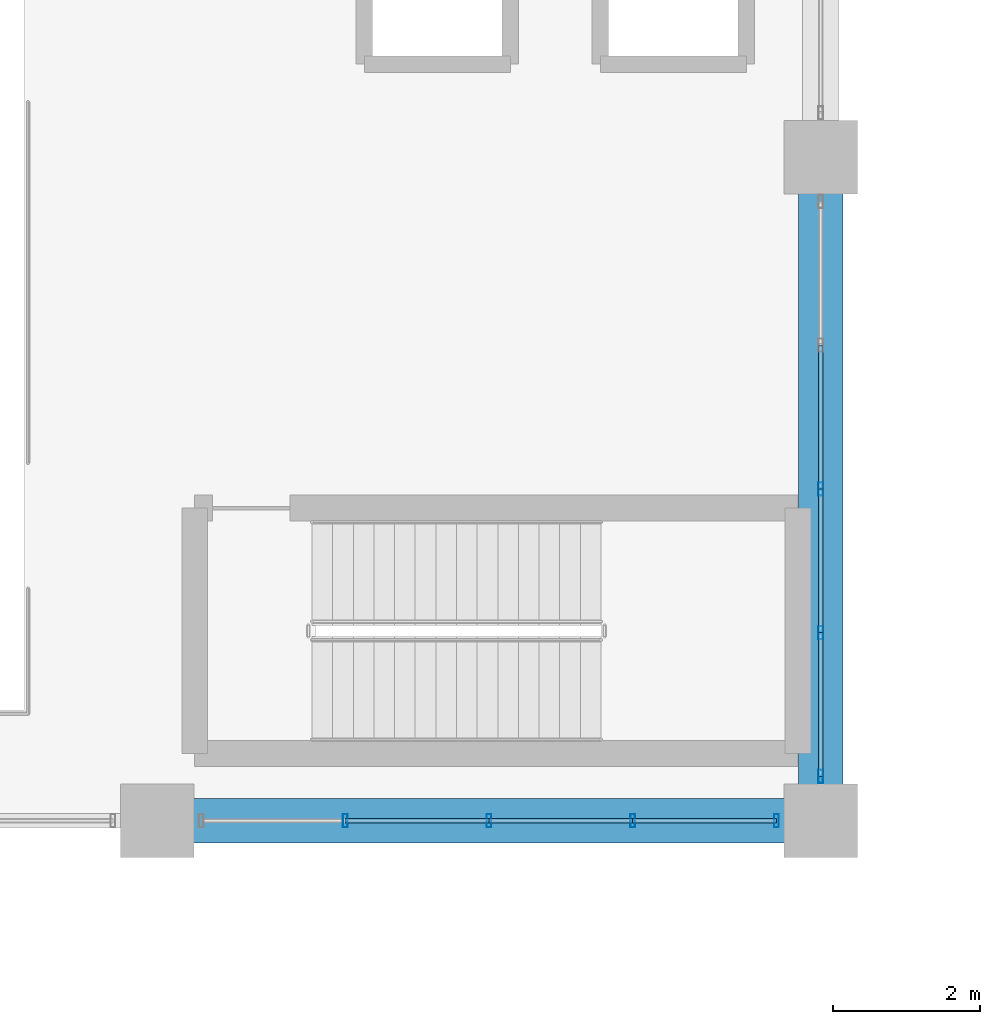
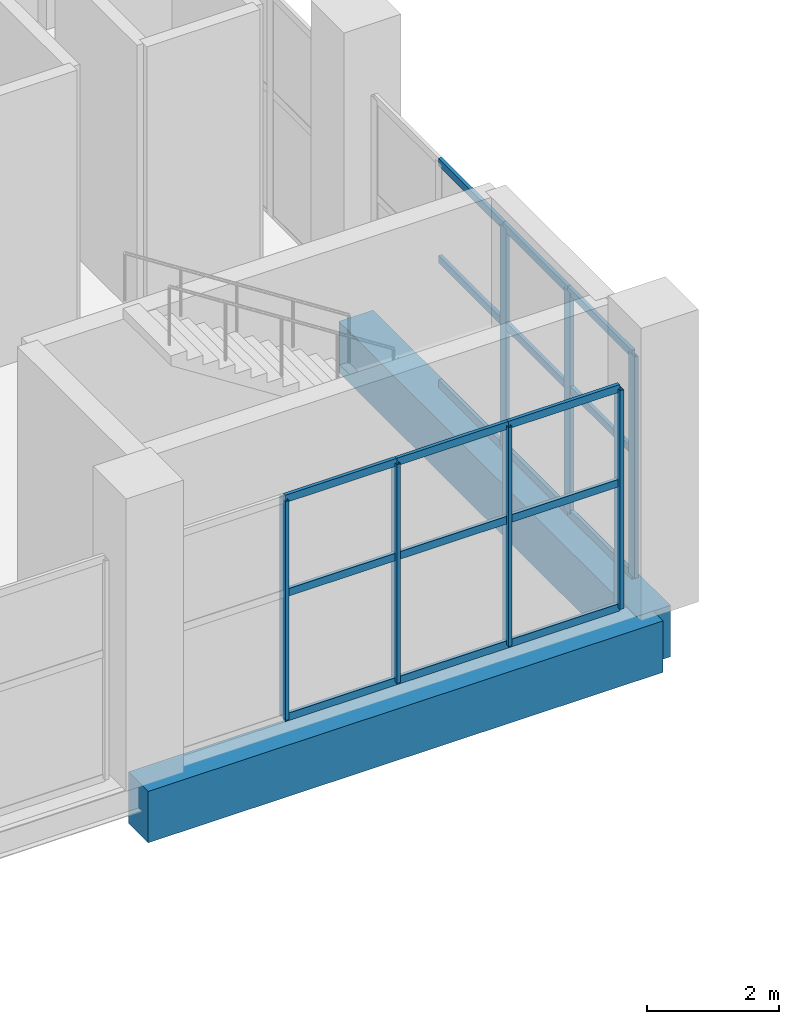
# One storey, part 34 of 147: 25 members, 2 beams, 2 elements without a shape of their own.
"""IFC4 building model written with IfcOpenShell, lengths in metres."""

from ifc_helpers import new_model, si_unit, direction, frame, origin, origin_2d, place, context, subcontext, project, spatial, rectangle, hollow_rectangle, extrude, material, layer, layer_set, material_profile, profile_set, type_object, element, aggregate, save


model = new_model("IFC4")

# Units and contexts
model_context = context("Model", 3, precision=1e-05, world=origin(), true_north=direction((0.0, 1.0)))
body_context = subcontext(model_context, "Body", "Model", "MODEL_VIEW")
ifc_project = project(units=[si_unit("LENGTHUNIT", "METRE"), si_unit("AREAUNIT", "SQUARE_METRE"), si_unit("VOLUMEUNIT", "CUBIC_METRE"), si_unit("PLANEANGLEUNIT", "RADIAN"), si_unit("MASSUNIT", "GRAM", prefix="KILO")], contexts=[model_context])

# Site, building, storey
site_placement = place(None, origin())
site = spatial("IfcSite", under=ifc_project, at=site_placement, CompositionType="ELEMENT")
building_placement = place(site_placement, origin())
building = spatial("IfcBuilding", under=site, at=building_placement, Name="Sundgate Opera House", CompositionType="ELEMENT")
storey_placement = place(building_placement, frame((0.0, 0.0, 6.0)))
storey = spatial("IfcBuildingStorey", under=building, at=storey_placement, Name="L01", CompositionType="ELEMENT", Elevation=6.0)

# Beams
ifc_material_1 = material(Name="Concrete C40/50", Category="concrete")
ifc_material_profile_1 = material_profile(ifc_material_1, rectangle(XDim=0.60009765625, YDim=0.949951171875, at=origin_2d()), Name="RC 600x950")
ifc_profile_set_1 = profile_set([ifc_material_profile_1], Name="Concrete C40/50")
beam_type = type_object("IfcBeamType", Name="BM-RC-600x950", PredefinedType="BEAM", material=ifc_profile_set_1)
for number, where, z_axis, x_axis, name in (
    (1, (72.0, 42.0, -0.77490234375), (0.0, 1.0, 0.0), (-1.0, 0.0, 0.0), "L01 Primary N-S Girder B1133"),
    (2, (63.0, 42.0, -0.77490234375), (1.0, 0.0, 0.0), (0.0, 1.0, 0.0), "L01 Primary E-W Girder B1331"),
):
    element("IfcBeam", number, at=place(storey_placement, frame(where, z_axis=z_axis, x_axis=x_axis)), inside=storey, type_object=beam_type, Name=name, PredefinedType="BEAM", context=body_context, shape_type="SweptSolid", body=[
        extrude(rectangle(XDim=0.60009765625, YDim=0.949951171875, at=origin_2d()), origin(), (0.0, 0.0, 1.0), 9.0),
    ])

# Curtain wall, members
ifc_material_2 = material(Name="Anodized aluminium and low-iron glass", Category="aluminium")
ifc_layer = layer(ifc_material_2, 0.179931640625)
ifc_layer_set = layer_set([ifc_layer], Name="Anodized aluminium and low-iron glass")
curtain_wall_type = type_object("IfcCurtainWallType", Name="CW-FOYER-GLASS", PredefinedType="NOTDEFINED", material=ifc_layer_set)
curtain_wall_1_placement = place(storey_placement, origin())
curtain_wall_1 = element("IfcCurtainWall", 3, at=curtain_wall_1_placement, inside=storey, type_object=curtain_wall_type, Name="L01 Curtain Wall CW014", PredefinedType="NOTDEFINED")
ifc_material_3 = material(Name="Anodized aluminium EN AW-6063", Category="aluminium")
ifc_material_profile_2 = material_profile(ifc_material_3, hollow_rectangle(XDim=0.06494140625, YDim=0.179931640625, WallThickness=0.00390625, at=origin_2d()), Name="CWM 180x65x4")
ifc_profile_set_2 = profile_set([ifc_material_profile_2], Name="Anodized aluminium EN AW-6063")
member_type_1 = type_object("IfcMemberType", Name="CWM-ALU-180x65", PredefinedType="MULLION", material=ifc_profile_set_2)
member_1_placement = place(storey_placement, frame((71.39990234375, 42.0, 0.0), z_axis=(0.0, 0.0, 1.0), x_axis=(1.0, 0.0, 0.0)))
member_1 = element("IfcMember", 4, at=member_1_placement, type_object=member_type_1, Name="CW014 Mullion 1", PredefinedType="MULLION", context=body_context, shape_type="SweptSolid", body=[
    extrude(hollow_rectangle(XDim=0.06494140625, YDim=0.179931640625, WallThickness=0.00390625, at=origin_2d()), origin(), (0.0, 0.0, 1.0), 4.044921875),
])
member_2_placement = place(storey_placement, frame((69.449951171875, 42.0, 0.0), z_axis=(0.0, 0.0, 1.0), x_axis=(1.0, 0.0, 0.0)))
member_2 = element("IfcMember", 5, at=member_2_placement, type_object=member_type_1, Name="CW014 Mullion 2", PredefinedType="MULLION", context=body_context, shape_type="SweptSolid", body=[
    extrude(hollow_rectangle(XDim=0.06494140625, YDim=0.179931640625, WallThickness=0.00390625, at=origin_2d()), origin(), (0.0, 0.0, 1.0), 4.044921875),
])
member_3_placement = place(storey_placement, frame((67.5, 42.0, 0.0), z_axis=(0.0, 0.0, 1.0), x_axis=(1.0, 0.0, 0.0)))
member_3 = element("IfcMember", 6, at=member_3_placement, type_object=member_type_1, Name="CW014 Mullion 3", PredefinedType="MULLION", context=body_context, shape_type="SweptSolid", body=[
    extrude(hollow_rectangle(XDim=0.06494140625, YDim=0.179931640625, WallThickness=0.00390625, at=origin_2d()), origin(), (0.0, 0.0, 1.0), 4.044921875),
])
member_4_placement = place(storey_placement, frame((65.550048828125, 42.0, 0.0), z_axis=(0.0, 0.0, 1.0), x_axis=(1.0, 0.0, 0.0)))
member_4 = element("IfcMember", 7, at=member_4_placement, type_object=member_type_1, Name="CW014 Mullion 4", PredefinedType="MULLION", context=body_context, shape_type="SweptSolid", body=[
    extrude(hollow_rectangle(XDim=0.06494140625, YDim=0.179931640625, WallThickness=0.00390625, at=origin_2d()), origin(), (0.0, 0.0, 1.0), 4.044921875),
])

curtain_wall_2_placement = place(storey_placement, origin())
curtain_wall_2 = element("IfcCurtainWall", 8, at=curtain_wall_2_placement, inside=storey, type_object=curtain_wall_type, Name="L01 Curtain Wall CW023", PredefinedType="NOTDEFINED")
member_5_placement = place(storey_placement, frame((72.0, 42.60009765625, 0.0), z_axis=(0.0, 0.0, 1.0), x_axis=(1.0, 0.0, 0.0)))
member_5 = element("IfcMember", 9, at=member_5_placement, type_object=member_type_1, Name="CW023 Mullion 1", PredefinedType="MULLION", context=body_context, shape_type="SweptSolid", body=[
    extrude(hollow_rectangle(XDim=0.06494140625, YDim=0.179931640625, WallThickness=0.00390625, at=origin_2d()), origin(), (0.0, 0.0, 1.0), 4.094970703125),
])
member_6_placement = place(storey_placement, frame((72.0, 44.550048828125, 0.0), z_axis=(0.0, 0.0, 1.0), x_axis=(1.0, 0.0, 0.0)))
member_6 = element("IfcMember", 10, at=member_6_placement, type_object=member_type_1, Name="CW023 Mullion 2", PredefinedType="MULLION", context=body_context, shape_type="SweptSolid", body=[
    extrude(hollow_rectangle(XDim=0.06494140625, YDim=0.179931640625, WallThickness=0.00390625, at=origin_2d()), origin(), (0.0, 0.0, 1.0), 4.094970703125),
])
member_7_placement = place(storey_placement, frame((72.0, 46.5, 0.0), z_axis=(0.0, 0.0, 1.0), x_axis=(1.0, 0.0, 0.0)))
member_7 = element("IfcMember", 11, at=member_7_placement, type_object=member_type_1, Name="CW023 Mullion 3", PredefinedType="MULLION", context=body_context, shape_type="SweptSolid", body=[
    extrude(hollow_rectangle(XDim=0.06494140625, YDim=0.179931640625, WallThickness=0.00390625, at=origin_2d()), origin(), (0.0, 0.0, 1.0), 4.094970703125),
])

# Member
ifc_material_4 = material(Name="Anodized aluminium EN AW-6063", Category="aluminium")
ifc_material_profile_3 = material_profile(ifc_material_4, hollow_rectangle(XDim=0.06005859375, YDim=0.139892578125, WallThickness=0.00390625, at=origin_2d()), Name="CWT 140x60x4")
ifc_profile_set_3 = profile_set([ifc_material_profile_3], Name="Anodized aluminium EN AW-6063")
member_type_2 = type_object("IfcMemberType", Name="CWT-ALU-140x60", PredefinedType="USERDEFINED", material=ifc_profile_set_3)
member_8_placement = place(storey_placement, frame((71.39990234375, 42.0, 0.0), z_axis=(-1.0, 0.0, 0.0), x_axis=(0.0, -1.0, 0.0)))
member_8 = element("IfcMember", 12, at=member_8_placement, type_object=member_type_2, Name="CW014 Transom 1", ObjectType="TRANSOM", PredefinedType="USERDEFINED", context=body_context, shape_type="SweptSolid", body=[
    extrude(hollow_rectangle(XDim=0.06005859375, YDim=0.139892578125, WallThickness=0.00390625, at=origin_2d()), origin(), (0.0, 0.0, 1.0), 1.949951171875),
])

member_9_placement = place(storey_placement, frame((71.39990234375, 42.0, 2.300048828125), z_axis=(-1.0, 0.0, 0.0), x_axis=(0.0, -1.0, 0.0)))
member_9 = element("IfcMember", 13, at=member_9_placement, type_object=member_type_2, Name="CW014 Transom 2", ObjectType="TRANSOM", PredefinedType="USERDEFINED", context=body_context, shape_type="SweptSolid", body=[
    extrude(hollow_rectangle(XDim=0.06005859375, YDim=0.139892578125, WallThickness=0.00390625, at=origin_2d()), origin(), (0.0, 0.0, 1.0), 1.949951171875),
])

member_10_placement = place(storey_placement, frame((71.39990234375, 42.0, 4.044921875), z_axis=(-1.0, 0.0, 0.0), x_axis=(0.0, -1.0, 0.0)))
member_10 = element("IfcMember", 14, at=member_10_placement, type_object=member_type_2, Name="CW014 Transom 3", ObjectType="TRANSOM", PredefinedType="USERDEFINED", context=body_context, shape_type="SweptSolid", body=[
    extrude(hollow_rectangle(XDim=0.06005859375, YDim=0.139892578125, WallThickness=0.00390625, at=origin_2d()), origin(), (0.0, 0.0, 1.0), 1.949951171875),
])

member_11_placement = place(storey_placement, frame((69.449951171875, 42.0, 0.0), z_axis=(-1.0, 0.0, 0.0), x_axis=(0.0, -1.0, 0.0)))
member_11 = element("IfcMember", 15, at=member_11_placement, type_object=member_type_2, Name="CW014 Transom 4", ObjectType="TRANSOM", PredefinedType="USERDEFINED", context=body_context, shape_type="SweptSolid", body=[
    extrude(hollow_rectangle(XDim=0.06005859375, YDim=0.139892578125, WallThickness=0.00390625, at=origin_2d()), origin(), (0.0, 0.0, 1.0), 1.949951171875),
])

member_12_placement = place(storey_placement, frame((69.449951171875, 42.0, 2.300048828125), z_axis=(-1.0, 0.0, 0.0), x_axis=(0.0, -1.0, 0.0)))
member_12 = element("IfcMember", 16, at=member_12_placement, type_object=member_type_2, Name="CW014 Transom 5", ObjectType="TRANSOM", PredefinedType="USERDEFINED", context=body_context, shape_type="SweptSolid", body=[
    extrude(hollow_rectangle(XDim=0.06005859375, YDim=0.139892578125, WallThickness=0.00390625, at=origin_2d()), origin(), (0.0, 0.0, 1.0), 1.949951171875),
])

member_13_placement = place(storey_placement, frame((69.449951171875, 42.0, 4.044921875), z_axis=(-1.0, 0.0, 0.0), x_axis=(0.0, -1.0, 0.0)))
member_13 = element("IfcMember", 17, at=member_13_placement, type_object=member_type_2, Name="CW014 Transom 6", ObjectType="TRANSOM", PredefinedType="USERDEFINED", context=body_context, shape_type="SweptSolid", body=[
    extrude(hollow_rectangle(XDim=0.06005859375, YDim=0.139892578125, WallThickness=0.00390625, at=origin_2d()), origin(), (0.0, 0.0, 1.0), 1.949951171875),
])

member_14_placement = place(storey_placement, frame((67.5, 42.0, 0.0), z_axis=(-1.0, 0.0, 0.0), x_axis=(0.0, -1.0, 0.0)))
member_14 = element("IfcMember", 18, at=member_14_placement, type_object=member_type_2, Name="CW014 Transom 7", ObjectType="TRANSOM", PredefinedType="USERDEFINED", context=body_context, shape_type="SweptSolid", body=[
    extrude(hollow_rectangle(XDim=0.06005859375, YDim=0.139892578125, WallThickness=0.00390625, at=origin_2d()), origin(), (0.0, 0.0, 1.0), 1.949951171875),
])

member_15_placement = place(storey_placement, frame((67.5, 42.0, 2.300048828125), z_axis=(-1.0, 0.0, 0.0), x_axis=(0.0, -1.0, 0.0)))
member_15 = element("IfcMember", 19, at=member_15_placement, type_object=member_type_2, Name="CW014 Transom 8", ObjectType="TRANSOM", PredefinedType="USERDEFINED", context=body_context, shape_type="SweptSolid", body=[
    extrude(hollow_rectangle(XDim=0.06005859375, YDim=0.139892578125, WallThickness=0.00390625, at=origin_2d()), origin(), (0.0, 0.0, 1.0), 1.949951171875),
])

member_16_placement = place(storey_placement, frame((67.5, 42.0, 4.044921875), z_axis=(-1.0, 0.0, 0.0), x_axis=(0.0, -1.0, 0.0)))
member_16 = element("IfcMember", 20, at=member_16_placement, type_object=member_type_2, Name="CW014 Transom 9", ObjectType="TRANSOM", PredefinedType="USERDEFINED", context=body_context, shape_type="SweptSolid", body=[
    extrude(hollow_rectangle(XDim=0.06005859375, YDim=0.139892578125, WallThickness=0.00390625, at=origin_2d()), origin(), (0.0, 0.0, 1.0), 1.949951171875),
])

aggregate(curtain_wall_1, [member_1, member_2, member_3, member_4, member_8, member_9, member_10, member_11, member_12, member_13, member_14, member_15, member_16])

member_17_placement = place(storey_placement, frame((72.0, 42.60009765625, 0.0), z_axis=(0.0, 1.0, 0.0), x_axis=(-1.0, 0.0, 0.0)))
member_17 = element("IfcMember", 21, at=member_17_placement, type_object=member_type_2, Name="CW023 Transom 1", ObjectType="TRANSOM", PredefinedType="USERDEFINED", context=body_context, shape_type="SweptSolid", body=[
    extrude(hollow_rectangle(XDim=0.06005859375, YDim=0.139892578125, WallThickness=0.00390625, at=origin_2d()), origin(), (0.0, 0.0, 1.0), 1.949951171875),
])

member_18_placement = place(storey_placement, frame((72.0, 42.60009765625, 2.300048828125), z_axis=(0.0, 1.0, 0.0), x_axis=(-1.0, 0.0, 0.0)))
member_18 = element("IfcMember", 22, at=member_18_placement, type_object=member_type_2, Name="CW023 Transom 2", ObjectType="TRANSOM", PredefinedType="USERDEFINED", context=body_context, shape_type="SweptSolid", body=[
    extrude(hollow_rectangle(XDim=0.06005859375, YDim=0.139892578125, WallThickness=0.00390625, at=origin_2d()), origin(), (0.0, 0.0, 1.0), 1.949951171875),
])

member_19_placement = place(storey_placement, frame((72.0, 42.60009765625, 4.094970703125), z_axis=(0.0, 1.0, 0.0), x_axis=(-1.0, 0.0, 0.0)))
member_19 = element("IfcMember", 23, at=member_19_placement, type_object=member_type_2, Name="CW023 Transom 3", ObjectType="TRANSOM", PredefinedType="USERDEFINED", context=body_context, shape_type="SweptSolid", body=[
    extrude(hollow_rectangle(XDim=0.06005859375, YDim=0.139892578125, WallThickness=0.00390625, at=origin_2d()), origin(), (0.0, 0.0, 1.0), 1.949951171875),
])

member_20_placement = place(storey_placement, frame((72.0, 44.550048828125, 0.0), z_axis=(0.0, 1.0, 0.0), x_axis=(-1.0, 0.0, 0.0)))
member_20 = element("IfcMember", 24, at=member_20_placement, type_object=member_type_2, Name="CW023 Transom 4", ObjectType="TRANSOM", PredefinedType="USERDEFINED", context=body_context, shape_type="SweptSolid", body=[
    extrude(hollow_rectangle(XDim=0.06005859375, YDim=0.139892578125, WallThickness=0.00390625, at=origin_2d()), origin(), (0.0, 0.0, 1.0), 1.949951171875),
])

member_21_placement = place(storey_placement, frame((72.0, 44.550048828125, 2.300048828125), z_axis=(0.0, 1.0, 0.0), x_axis=(-1.0, 0.0, 0.0)))
member_21 = element("IfcMember", 25, at=member_21_placement, type_object=member_type_2, Name="CW023 Transom 5", ObjectType="TRANSOM", PredefinedType="USERDEFINED", context=body_context, shape_type="SweptSolid", body=[
    extrude(hollow_rectangle(XDim=0.06005859375, YDim=0.139892578125, WallThickness=0.00390625, at=origin_2d()), origin(), (0.0, 0.0, 1.0), 1.949951171875),
])

member_22_placement = place(storey_placement, frame((72.0, 44.550048828125, 4.094970703125), z_axis=(0.0, 1.0, 0.0), x_axis=(-1.0, 0.0, 0.0)))
member_22 = element("IfcMember", 26, at=member_22_placement, type_object=member_type_2, Name="CW023 Transom 6", ObjectType="TRANSOM", PredefinedType="USERDEFINED", context=body_context, shape_type="SweptSolid", body=[
    extrude(hollow_rectangle(XDim=0.06005859375, YDim=0.139892578125, WallThickness=0.00390625, at=origin_2d()), origin(), (0.0, 0.0, 1.0), 1.949951171875),
])

member_23_placement = place(storey_placement, frame((72.0, 46.5, 0.0), z_axis=(0.0, 1.0, 0.0), x_axis=(-1.0, 0.0, 0.0)))
member_23 = element("IfcMember", 27, at=member_23_placement, type_object=member_type_2, Name="CW023 Transom 7", ObjectType="TRANSOM", PredefinedType="USERDEFINED", context=body_context, shape_type="SweptSolid", body=[
    extrude(hollow_rectangle(XDim=0.06005859375, YDim=0.139892578125, WallThickness=0.00390625, at=origin_2d()), origin(), (0.0, 0.0, 1.0), 1.949951171875),
])

member_24_placement = place(storey_placement, frame((72.0, 46.5, 2.300048828125), z_axis=(0.0, 1.0, 0.0), x_axis=(-1.0, 0.0, 0.0)))
member_24 = element("IfcMember", 28, at=member_24_placement, type_object=member_type_2, Name="CW023 Transom 8", ObjectType="TRANSOM", PredefinedType="USERDEFINED", context=body_context, shape_type="SweptSolid", body=[
    extrude(hollow_rectangle(XDim=0.06005859375, YDim=0.139892578125, WallThickness=0.00390625, at=origin_2d()), origin(), (0.0, 0.0, 1.0), 1.949951171875),
])

member_25_placement = place(storey_placement, frame((72.0, 46.5, 4.094970703125), z_axis=(0.0, 1.0, 0.0), x_axis=(-1.0, 0.0, 0.0)))
member_25 = element("IfcMember", 29, at=member_25_placement, type_object=member_type_2, Name="CW023 Transom 9", ObjectType="TRANSOM", PredefinedType="USERDEFINED", context=body_context, shape_type="SweptSolid", body=[
    extrude(hollow_rectangle(XDim=0.06005859375, YDim=0.139892578125, WallThickness=0.00390625, at=origin_2d()), origin(), (0.0, 0.0, 1.0), 1.949951171875),
])

aggregate(curtain_wall_2, [member_5, member_6, member_7, member_17, member_18, member_19, member_20, member_21, member_22, member_23, member_24, member_25])

save(model, "model.ifc")
